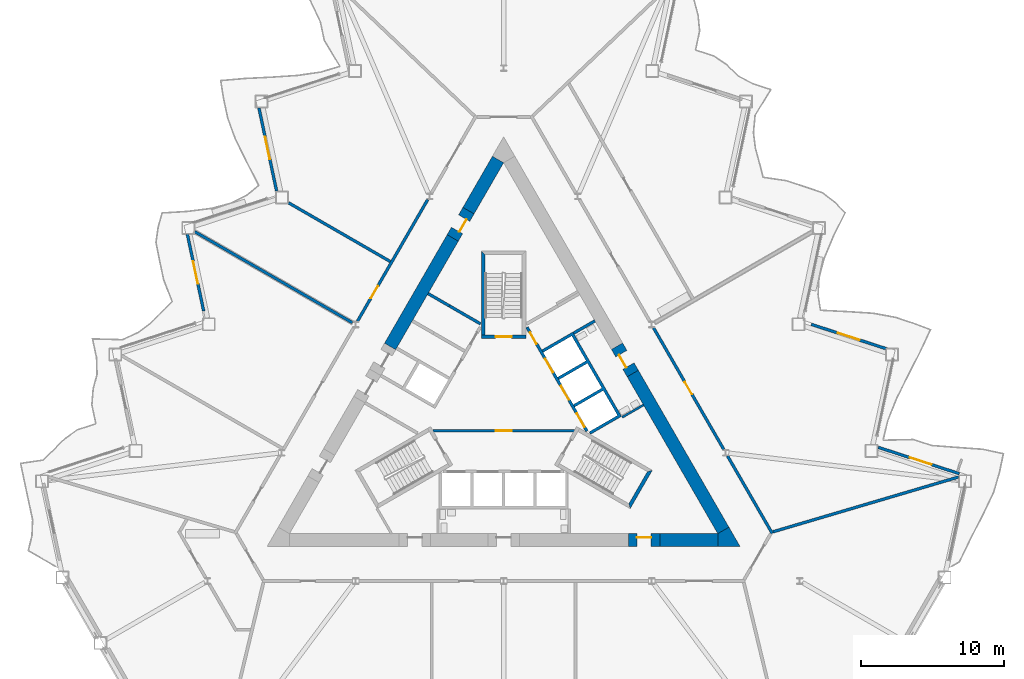
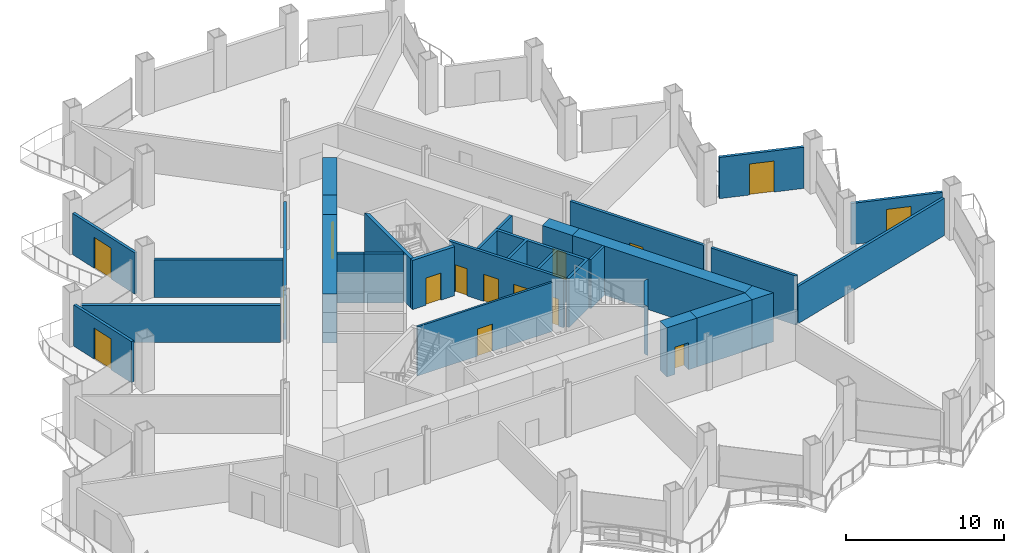
# One storey, part 12 of 21: 28 walls, 15 doors, 15 openings.
"""IFC4 building model written with IfcOpenShell, lengths in metres."""

from ifc_helpers import new_model, si_unit, direction, frame, frame_2d, origin, place, context, subcontext, project, spatial, polyline, rectangle, outline, extrude, material, layer, layer_set, type_object, element, fill, save


model = new_model("IFC4")

# Units and contexts
model_context = context("Model", 3, precision=1e-05, world=origin(), true_north=direction((0.0, 1.0)))
body_context = subcontext(model_context, "Body", "Model", "MODEL_VIEW")
ifc_project = project(units=[si_unit("LENGTHUNIT", "METRE"), si_unit("AREAUNIT", "SQUARE_METRE"), si_unit("VOLUMEUNIT", "CUBIC_METRE"), si_unit("PLANEANGLEUNIT", "RADIAN"), si_unit("MASSUNIT", "GRAM", prefix="KILO")], contexts=[model_context])

# Site, building, storey
site_placement = place(None, origin())
site = spatial("IfcSite", under=ifc_project, at=site_placement, CompositionType="ELEMENT")
building_placement = place(site_placement, origin())
building = spatial("IfcBuilding", under=site, at=building_placement, Name="Cormorant Prow Tower", CompositionType="ELEMENT")
storey_placement = place(building_placement, frame((0.0, 0.0, 116.39990234375)))
storey = spatial("IfcBuildingStorey", under=building, at=storey_placement, Name="L24", CompositionType="ELEMENT", Elevation=116.39990234375)

# Wall, opening, door
ifc_material_1 = material(Name="Gypsum board partition")
ifc_layer_1 = layer(ifc_material_1, 0.14990234375)
ifc_layer_set_1 = layer_set([ifc_layer_1], Name="Gypsum board partition")
wall_type_1 = type_object("IfcWallType", Name="Core partition 150", PredefinedType="PARTITIONING", material=ifc_layer_set_1)
wall_1_placement = place(storey_placement, frame((-4.941162109375, -1.449951171875, 0.0), z_axis=(0.0, 0.0, 1.0), x_axis=(1.0, 0.0, 0.0)))
wall_1 = element("IfcWall", 1, at=wall_1_placement, inside=storey, type_object=wall_type_1, Name="Firefighting lobby partition", PredefinedType="PARTITIONING", context=body_context, shape_type="SweptSolid", body=[
    extrude(rectangle(XDim=9.88232421875, YDim=0.14990234375, at=frame_2d((4.941162109375, 0.0))), origin(), (0.0, 0.0, 1.0), 3.800048828125),
])
opening_1_placement = place(wall_1_placement, frame((4.39111328125, 0.0, 0.0)))
opening_1 = element("IfcOpeningElement", 2, at=opening_1_placement, cuts=wall_1, Name="Opening L24-C11", PredefinedType="OPENING", context=body_context, shape_type="SweptSolid", body=[
    extrude(rectangle(XDim=1.10009765625, YDim=2.10009765625, at=frame_2d((0.550048828125, 1.050048828125))), frame((0.0, 0.0849609375, 0.0), z_axis=(0.0, -1.0, 0.0), x_axis=(1.0, 0.0, 0.0)), (0.0, 0.0, 1.0), 0.169921875),
])
ifc_material_2 = material(Name="Painted steel", Category="steel")
door_type_1 = type_object("IfcDoorType", Name="Firefighting lobby door 1100x2100", OperationType="NOTDEFINED", PredefinedType="DOOR", material=ifc_material_2)
door_1_placement = place(opening_1_placement, origin())
door_1 = element("IfcDoor", 3, at=door_1_placement, inside=storey, type_object=door_type_1, Name="Firefighting lobby door", OperationType="SINGLE_SWING_RIGHT", OverallHeight=2.10009765625, OverallWidth=1.10009765625, PredefinedType="DOOR", context=body_context, shape_type="SweptSolid", body=[
    extrude(rectangle(XDim=1.10009765625, YDim=2.10009765625, at=frame_2d((0.550048828125, 1.050048828125))), frame((0.0, 0.02490234375, 0.0), z_axis=(0.0, -1.0, 0.0), x_axis=(1.0, 0.0, 0.0)), (0.0, 0.0, 1.0), 0.050048828125),
])
fill(opening_1, door_1)

# Walls
wall_2_placement = place(storey_placement, frame((8.268310546875, -0.509033203125, 0.0), z_axis=(0.0, 0.0, 1.0), x_axis=(0.866024871741, 0.500000921525, 0.0)))
element("IfcWall", 4, at=wall_2_placement, inside=storey, type_object=wall_type_1, Name="Service room partition", PredefinedType="PARTITIONING", context=body_context, shape_type="SweptSolid", body=[
    extrude(rectangle(XDim=1.72021484375, YDim=0.14990234375, at=frame_2d((0.860107421875, 0.0))), origin(), (0.0, 0.0, 1.0), 3.800048828125),
])
ifc_material_3 = material(Name="Concrete 8000 psi", Category="concrete")
ifc_layer_2 = layer(ifc_material_3, 0.89990234375)
ifc_layer_set_2 = layer_set([ifc_layer_2], Name="Concrete 8000 psi")
wall_type_2 = type_object("IfcWallType", Name="Core shear wall 900", PredefinedType="SHEAR", material=ifc_layer_set_2)
wall_3_placement = place(storey_placement, frame((10.8955078125, -9.076416015625, 0.0), z_axis=(0.0, 0.0, 1.0), x_axis=(1.0, 0.0, 0.0)))
element("IfcWall", 5, at=wall_3_placement, inside=storey, type_object=wall_type_2, Name="Core wall", PredefinedType="SHEAR", context=body_context, shape_type="SweptSolid", body=[
    extrude(rectangle(XDim=4.045654296875, YDim=0.89990234375, at=frame_2d((2.02294921875, 0.0))), origin(), (0.0, 0.0, 1.0), 3.800048828125),
])
wall_4_placement = place(storey_placement, frame((15.330810546875, -8.4013671875, 0.0), z_axis=(0.0, 0.0, 1.0), x_axis=(-0.49999216708, 0.866029926076, 0.0)))
element("IfcWall", 6, at=wall_4_placement, inside=storey, type_object=wall_type_2, Name="Core wall", PredefinedType="SHEAR", context=body_context, shape_type="SweptSolid", body=[
    extrude(rectangle(XDim=12.641357421875, YDim=0.89990234375, at=frame_2d((6.32080078125, 0.0))), origin(), (0.0, 0.0, 1.0), 3.800048828125),
])
wall_5_placement = place(storey_placement, frame((-3.550048828125, 12.00390625, 0.0), z_axis=(0.0, 0.0, 1.0), x_axis=(-0.499993245289, -0.866029303583, 0.0)))
element("IfcWall", 7, at=wall_5_placement, inside=storey, type_object=wall_type_2, Name="Core wall", PredefinedType="SHEAR", context=body_context, shape_type="SweptSolid", body=[
    extrude(rectangle(XDim=8.74072265625, YDim=0.89990234375, at=frame_2d((4.370361328125, 0.0))), origin(), (0.0, 0.0, 1.0), 3.800048828125),
])
wall_6_placement = place(storey_placement, frame((-0.3896484375, 17.4775390625, 0.0), z_axis=(0.0, 0.0, 1.0), x_axis=(-0.50001992892, -0.866013897511, 0.0)))
element("IfcWall", 8, at=wall_6_placement, inside=storey, type_object=wall_type_2, Name="Core wall", PredefinedType="SHEAR", context=body_context, shape_type="SweptSolid", body=[
    extrude(rectangle(XDim=4.120361328125, YDim=0.89990234375, at=frame_2d((2.06005859375, 0.0))), origin(), (0.0, 0.0, 1.0), 3.800048828125),
])
wall_7_placement = place(storey_placement, origin())
element("IfcWall", 9, at=wall_7_placement, inside=storey, type_object=wall_type_2, Name="Core wall corner", PredefinedType="SHEAR", context=body_context, shape_type="SweptSolid", body=[
    extrude(outline(polyline([(14.941162109375, -8.626220703125), (15.720703125, -8.17626953125), (16.5, -9.5263671875), (14.941162109375, -9.5263671875), (14.941162109375, -8.626220703125)])), origin(), (0.0, 0.0, 1.0), 3.800048828125),
])

# Wall, opening, door
wall_8_placement = place(storey_placement, frame((8.695556640625, -9.076416015625, 0.0), z_axis=(0.0, 0.0, 1.0), x_axis=(1.0, 0.0, 0.0)))
wall_8 = element("IfcWall", 10, at=wall_8_placement, inside=storey, type_object=wall_type_2, Name="Core wall door panel", PredefinedType="SHEAR", context=body_context, shape_type="SweptSolid", body=[
    extrude(rectangle(XDim=2.199951171875, YDim=0.89990234375, at=frame_2d((1.10009765625, 0.0))), origin(), (0.0, 0.0, 1.0), 3.800048828125),
])
opening_2_placement = place(wall_8_placement, frame((0.60009765625, 0.0, 0.0)))
opening_2 = element("IfcOpeningElement", 11, at=opening_2_placement, cuts=wall_8, Name="Opening L24-C16", PredefinedType="OPENING", context=body_context, shape_type="SweptSolid", body=[
    extrude(rectangle(XDim=1.0, YDim=2.10009765625, at=frame_2d((0.5, 1.050048828125))), frame((0.0, 0.4599609375, 0.0), z_axis=(0.0, -1.0, 0.0), x_axis=(1.0, 0.0, 0.0)), (0.0, 0.0, 1.0), 0.919921875),
])
ifc_material_4 = material(Name="Painted steel", Category="steel")
door_type_2 = type_object("IfcDoorType", Name="Service door 1000x2100", OperationType="NOTDEFINED", PredefinedType="DOOR", material=ifc_material_4)
door_2_placement = place(opening_2_placement, origin())
door_2 = element("IfcDoor", 12, at=door_2_placement, inside=storey, type_object=door_type_2, Name="Core door, Telecom room", OperationType="SINGLE_SWING_LEFT", OverallHeight=2.10009765625, OverallWidth=1.0, PredefinedType="DOOR", context=body_context, shape_type="SweptSolid", body=[
    extrude(rectangle(XDim=1.0, YDim=2.10009765625, at=frame_2d((0.5, 1.050048828125))), frame((0.0, 0.205078125, 0.0), z_axis=(0.0, -1.0, 0.0), x_axis=(1.0, 0.0, 0.0)), (0.0, 0.0, 1.0), 0.050048828125),
])
fill(opening_2, door_2)

wall_9_placement = place(storey_placement, frame((9.01025390625, 2.54638671875, 0.0), z_axis=(0.0, 0.0, 1.0), x_axis=(-0.499994660107, 0.866028486751, 0.0)))
wall_9 = element("IfcWall", 13, at=wall_9_placement, inside=storey, type_object=wall_type_2, Name="Core wall door panel", PredefinedType="SHEAR", context=body_context, shape_type="SweptSolid", body=[
    extrude(rectangle(XDim=2.19970703125, YDim=0.89990234375, at=frame_2d((1.099853515625, 0.0))), origin(), (0.0, 0.0, 1.0), 3.800048828125),
])
opening_3_placement = place(wall_9_placement, frame((0.60009765625, 0.0, 0.0)))
opening_3 = element("IfcOpeningElement", 14, at=opening_3_placement, cuts=wall_9, Name="Opening L24-C18", PredefinedType="OPENING", context=body_context, shape_type="SweptSolid", body=[
    extrude(rectangle(XDim=1.0, YDim=2.10009765625, at=frame_2d((0.5, 1.050048828125))), frame((0.0, 0.4599609375, 0.0), z_axis=(0.0, -1.0, 0.0), x_axis=(1.0, 0.0, 0.0)), (0.0, 0.0, 1.0), 0.919921875),
])
door_3_placement = place(opening_3_placement, origin())
door_3 = element("IfcDoor", 15, at=door_3_placement, inside=storey, type_object=door_type_2, Name="Core door, Toilets (men) L24", OperationType="SINGLE_SWING_RIGHT", OverallHeight=2.10009765625, OverallWidth=1.0, PredefinedType="DOOR", context=body_context, shape_type="SweptSolid", body=[
    extrude(rectangle(XDim=1.0, YDim=2.10009765625, at=frame_2d((0.5, 1.050048828125))), frame((0.0, 0.205078125, 0.0), z_axis=(0.0, -1.0, 0.0), x_axis=(1.0, 0.0, 0.0)), (0.0, 0.0, 1.0), 0.050048828125),
])
fill(opening_3, door_3)

wall_10_placement = place(storey_placement, frame((-2.449951171875, 13.9091796875, 0.0), z_axis=(0.0, 0.0, 1.0), x_axis=(-0.50002983664, -0.866008176907, 0.0)))
wall_10 = element("IfcWall", 16, at=wall_10_placement, inside=storey, type_object=wall_type_2, Name="Core wall door panel", PredefinedType="SHEAR", context=body_context, shape_type="SweptSolid", body=[
    extrude(rectangle(XDim=2.199951171875, YDim=0.89990234375, at=frame_2d((1.10009765625, 0.0))), origin(), (0.0, 0.0, 1.0), 3.800048828125),
])
opening_4_placement = place(wall_10_placement, frame((0.60009765625, 0.0, 0.0)))
opening_4 = element("IfcOpeningElement", 17, at=opening_4_placement, cuts=wall_10, Name="Opening L24-C20", PredefinedType="OPENING", context=body_context, shape_type="SweptSolid", body=[
    extrude(rectangle(XDim=1.0, YDim=2.10009765625, at=frame_2d((0.5, 1.050048828125))), frame((0.0, 0.4599609375, 0.0), z_axis=(0.0, -1.0, 0.0), x_axis=(1.0, 0.0, 0.0)), (0.0, 0.0, 1.0), 0.919921875),
])
door_4_placement = place(opening_4_placement, origin())
door_4 = element("IfcDoor", 18, at=door_4_placement, inside=storey, type_object=door_type_2, Name="Core door, Telecom room", OperationType="SINGLE_SWING_LEFT", OverallHeight=2.10009765625, OverallWidth=1.0, PredefinedType="DOOR", context=body_context, shape_type="SweptSolid", body=[
    extrude(rectangle(XDim=1.0, YDim=2.10009765625, at=frame_2d((0.5, 1.050048828125))), frame((0.0, 0.205078125, 0.0), z_axis=(0.0, -1.0, 0.0), x_axis=(1.0, 0.0, 0.0)), (0.0, 0.0, 1.0), 0.050048828125),
])
fill(opening_4, door_4)

ifc_material_5 = material(Name="Gypsum board corridor wall")
ifc_layer_3 = layer(ifc_material_5, 0.199951171875)
ifc_layer_set_3 = layer_set([ifc_layer_3], Name="Gypsum board corridor wall")
wall_type_3 = type_object("IfcWallType", Name="Corridor wall 200", PredefinedType="PARTITIONING", material=ifc_layer_set_3)
wall_11_placement = place(storey_placement, frame((10.459716796875, 5.735595703125, 0.0), z_axis=(0.0, 0.0, 1.0), x_axis=(0.500004141693, -0.866023012564, 0.0)))
wall_11 = element("IfcWall", 19, at=wall_11_placement, inside=storey, type_object=wall_type_3, Name="Corridor wall", PredefinedType="PARTITIONING", context=body_context, shape_type="SweptSolid", body=[
    extrude(rectangle(XDim=9.80322265625, YDim=0.199951171875, at=frame_2d((4.901611328125, 0.0))), origin(), (0.0, 0.0, 1.0), 3.800048828125),
])
opening_5_placement = place(wall_11_placement, frame((4.3515625, 0.0, 0.0)))
opening_5 = element("IfcOpeningElement", 20, at=opening_5_placement, cuts=wall_11, Name="Opening L24-F05", PredefinedType="OPENING", context=body_context, shape_type="SweptSolid", body=[
    extrude(rectangle(XDim=1.0, YDim=2.10009765625, at=frame_2d((0.5, 1.050048828125))), frame((0.0, 0.10986328125, 0.0), z_axis=(0.0, -1.0, 0.0), x_axis=(1.0, 0.0, 0.0)), (0.0, 0.0, 1.0), 0.219970703125),
])
ifc_material_6 = material(Name="Timber door leaf", Category="wood")
door_type_3 = type_object("IfcDoorType", Name="Office door 1000x2100", OperationType="NOTDEFINED", PredefinedType="DOOR", material=ifc_material_6)
door_5_placement = place(opening_5_placement, origin())
door_5 = element("IfcDoor", 21, at=door_5_placement, inside=storey, type_object=door_type_3, Name="Tenant suite door", OperationType="SINGLE_SWING_RIGHT", OverallHeight=2.10009765625, OverallWidth=1.0, PredefinedType="DOOR", context=body_context, shape_type="SweptSolid", body=[
    extrude(rectangle(XDim=1.0, YDim=2.10009765625, at=frame_2d((0.5, 1.050048828125))), frame((0.0, 0.02490234375, 0.0), z_axis=(0.0, -1.0, 0.0), x_axis=(1.0, 0.0, 0.0)), (0.0, 0.0, 1.0), 0.050048828125),
])
fill(opening_5, door_5)

wall_12_placement = place(storey_placement, frame((-10.197265625, 6.1904296875, 0.0), z_axis=(0.0, 0.0, 1.0), x_axis=(0.500012035596, 0.866018454918, 0.0)))
wall_12 = element("IfcWall", 22, at=wall_12_placement, inside=storey, type_object=wall_type_3, Name="Corridor wall", PredefinedType="PARTITIONING", context=body_context, shape_type="SweptSolid", body=[
    extrude(rectangle(XDim=9.803466796875, YDim=0.199951171875, at=frame_2d((4.90185546875, 0.0))), origin(), (0.0, 0.0, 1.0), 3.800048828125),
])
opening_6_placement = place(wall_12_placement, frame((1.8505859375, 0.0, 0.0)))
opening_6 = element("IfcOpeningElement", 23, at=opening_6_placement, cuts=wall_12, Name="Opening L24-F10", PredefinedType="OPENING", context=body_context, shape_type="SweptSolid", body=[
    extrude(rectangle(XDim=1.0, YDim=2.10009765625, at=frame_2d((0.5, 1.050048828125))), frame((0.0, 0.10986328125, 0.0), z_axis=(0.0, -1.0, 0.0), x_axis=(1.0, 0.0, 0.0)), (0.0, 0.0, 1.0), 0.219970703125),
])
door_6_placement = place(opening_6_placement, origin())
door_6 = element("IfcDoor", 24, at=door_6_placement, inside=storey, type_object=door_type_3, Name="Meeting room door", OperationType="SINGLE_SWING_LEFT", OverallHeight=2.10009765625, OverallWidth=1.0, PredefinedType="DOOR", context=body_context, shape_type="SweptSolid", body=[
    extrude(rectangle(XDim=1.0, YDim=2.10009765625, at=frame_2d((0.5, 1.050048828125))), frame((0.0, 0.02490234375, 0.0), z_axis=(0.0, -1.0, 0.0), x_axis=(1.0, 0.0, 0.0)), (0.0, 0.0, 1.0), 0.050048828125),
])
fill(opening_6, door_6)

# Walls
wall_13_placement = place(storey_placement, frame((15.6240234375, -3.208984375, 0.0), z_axis=(0.0, 0.0, 1.0), x_axis=(0.499997920671, -0.866026604282, 0.0)))
element("IfcWall", 25, at=wall_13_placement, inside=storey, type_object=wall_type_3, Name="Corridor wall", PredefinedType="PARTITIONING", context=body_context, shape_type="SweptSolid", body=[
    extrude(rectangle(XDim=6.23974609375, YDim=0.199951171875, at=frame_2d((3.119873046875, 0.0))), origin(), (0.0, 0.0, 1.0), 3.800048828125),
])
ifc_material_7 = material(Name="Gypsum board demising wall")
ifc_layer_4 = layer(ifc_material_7, 0.199951171875)
ifc_layer_set_4 = layer_set([ifc_layer_4], Name="Gypsum board demising wall")
wall_type_4 = type_object("IfcWallType", Name="Demising wall 200", PredefinedType="PARTITIONING", material=ifc_layer_set_4)
wall_14_placement = place(storey_placement, frame((18.789794921875, -8.497802734375, 0.0), z_axis=(0.0, 0.0, 1.0), x_axis=(0.959053889024, 0.283223653581, 0.0)))
element("IfcWall", 26, at=wall_14_placement, inside=storey, type_object=wall_type_4, Name="Demising wall", PredefinedType="PARTITIONING", context=body_context, shape_type="SweptSolid", body=[
    extrude(rectangle(XDim=13.4990234375, YDim=0.199951171875, at=frame_2d((6.74951171875, 0.0))), origin(), (0.0, 0.0, 1.0), 2.885498046875),
])
wall_15_placement = place(storey_placement, frame((-21.536376953125, 12.43408203125, 0.0), z_axis=(0.0, 0.0, 1.0), x_axis=(0.86602461759, -0.500001361726, 0.0)))
element("IfcWall", 27, at=wall_15_placement, inside=storey, type_object=wall_type_4, Name="Demising wall", PredefinedType="PARTITIONING", context=body_context, shape_type="SweptSolid", body=[
    extrude(rectangle(XDim=12.67919921875, YDim=0.199951171875, at=frame_2d((6.339599609375, 0.0))), origin(), (0.0, 0.0, 1.0), 2.885498046875),
])
wall_16_placement = place(storey_placement, frame((-15.009521484375, 14.460205078125, 0.0), z_axis=(0.0, 0.0, 1.0), x_axis=(0.86602003489, -0.500009299083, 0.0)))
element("IfcWall", 28, at=wall_16_placement, inside=storey, type_object=wall_type_4, Name="Demising wall", PredefinedType="PARTITIONING", context=body_context, shape_type="SweptSolid", body=[
    extrude(rectangle(XDim=8.202392578125, YDim=0.199951171875, at=frame_2d((4.10107421875, 0.0))), origin(), (0.0, 0.0, 1.0), 2.885498046875),
])

# Wall, openings, doors
ifc_material_8 = material(Name="Concrete 5000 psi", Category="concrete")
ifc_layer_5 = layer(ifc_material_8, 0.199951171875)
ifc_layer_set_5 = layer_set([ifc_layer_5], Name="Concrete 5000 psi")
wall_type_5 = type_object("IfcWallType", Name="Lift lobby wall 200", PredefinedType="SOLIDWALL", material=ifc_layer_set_5)
wall_17_placement = place(storey_placement, frame((5.817138671875, -1.4755859375, 0.0), z_axis=(0.0, 0.0, 1.0), x_axis=(-0.500002616675, 0.866023893041, 0.0)))
wall_17 = element("IfcWall", 29, at=wall_17_placement, inside=storey, type_object=wall_type_5, Name="Lift lobby wall, ENE block", PredefinedType="SOLIDWALL", context=body_context, shape_type="SweptSolid", body=[
    extrude(rectangle(XDim=8.373046875, YDim=0.199951171875, at=frame_2d((4.1865234375, 0.0))), origin(), (0.0, 0.0, 1.0), 3.800048828125),
])
opening_7_placement = place(wall_17_placement, frame((0.336669921875, 0.0, 0.0)))
opening_7 = element("IfcOpeningElement", 30, at=opening_7_placement, cuts=wall_17, Name="Opening L24-C05", PredefinedType="OPENING", context=body_context, shape_type="SweptSolid", body=[
    extrude(rectangle(XDim=1.10009765625, YDim=2.10009765625, at=frame_2d((0.550048828125, 1.050048828125))), frame((0.0, 0.10986328125, 0.0), z_axis=(0.0, -1.0, 0.0), x_axis=(1.0, 0.0, 0.0)), (0.0, 0.0, 1.0), 0.219970703125),
])
opening_8_placement = place(wall_17_placement, frame((2.53662109375, 0.0, 0.0)))
opening_8 = element("IfcOpeningElement", 31, at=opening_8_placement, cuts=wall_17, Name="Opening L24-C06", PredefinedType="OPENING", context=body_context, shape_type="SweptSolid", body=[
    extrude(rectangle(XDim=1.10009765625, YDim=2.10009765625, at=frame_2d((0.550048828125, 1.050048828125))), frame((0.0, 0.10986328125, 0.0), z_axis=(0.0, -1.0, 0.0), x_axis=(1.0, 0.0, 0.0)), (0.0, 0.0, 1.0), 0.219970703125),
])
opening_9_placement = place(wall_17_placement, frame((4.736572265625, 0.0, 0.0)))
opening_9 = element("IfcOpeningElement", 32, at=opening_9_placement, cuts=wall_17, Name="Opening L24-C07", PredefinedType="OPENING", context=body_context, shape_type="SweptSolid", body=[
    extrude(rectangle(XDim=1.10009765625, YDim=2.10009765625, at=frame_2d((0.550048828125, 1.050048828125))), frame((0.0, 0.10986328125, 0.0), z_axis=(0.0, -1.0, 0.0), x_axis=(1.0, 0.0, 0.0)), (0.0, 0.0, 1.0), 0.219970703125),
])
opening_10_placement = place(wall_17_placement, frame((7.03662109375, 0.0, 0.0)))
opening_10 = element("IfcOpeningElement", 33, at=opening_10_placement, cuts=wall_17, Name="Opening L24-C08", PredefinedType="OPENING", context=body_context, shape_type="SweptSolid", body=[
    extrude(rectangle(XDim=0.89990234375, YDim=2.10009765625, at=frame_2d((0.449951171875, 1.050048828125))), frame((0.0, 0.10986328125, 0.0), z_axis=(0.0, -1.0, 0.0), x_axis=(1.0, 0.0, 0.0)), (0.0, 0.0, 1.0), 0.219970703125),
])
ifc_material_9 = material(Name="Painted steel", Category="steel")
door_type_4 = type_object("IfcDoorType", Name="Lift landing door 1100x2100", OperationType="SLIDING_TO_LEFT", PredefinedType="DOOR", material=ifc_material_9)
door_7_placement = place(opening_7_placement, origin())
door_7 = element("IfcDoor", 34, at=door_7_placement, inside=storey, type_object=door_type_4, Name="Landing door LR2", OperationType="SLIDING_TO_LEFT", OverallHeight=2.10009765625, OverallWidth=1.10009765625, PredefinedType="DOOR", context=body_context, shape_type="SweptSolid", body=[
    extrude(rectangle(XDim=1.10009765625, YDim=2.10009765625, at=frame_2d((0.550048828125, 1.050048828125))), frame((0.0, 0.02490234375, 0.0), z_axis=(0.0, -1.0, 0.0), x_axis=(1.0, 0.0, 0.0)), (0.0, 0.0, 1.0), 0.050048828125),
])
fill(opening_7, door_7)
door_8_placement = place(opening_8_placement, origin())
door_8 = element("IfcDoor", 35, at=door_8_placement, inside=storey, type_object=door_type_4, Name="Landing door LR3", OperationType="SLIDING_TO_LEFT", OverallHeight=2.10009765625, OverallWidth=1.10009765625, PredefinedType="DOOR", context=body_context, shape_type="SweptSolid", body=[
    extrude(rectangle(XDim=1.10009765625, YDim=2.10009765625, at=frame_2d((0.550048828125, 1.050048828125))), frame((0.0, 0.02490234375, 0.0), z_axis=(0.0, -1.0, 0.0), x_axis=(1.0, 0.0, 0.0)), (0.0, 0.0, 1.0), 0.050048828125),
])
fill(opening_8, door_8)
door_9_placement = place(opening_9_placement, origin())
door_9 = element("IfcDoor", 36, at=door_9_placement, inside=storey, type_object=door_type_4, Name="Landing door LR4", OperationType="SLIDING_TO_LEFT", OverallHeight=2.10009765625, OverallWidth=1.10009765625, PredefinedType="DOOR", context=body_context, shape_type="SweptSolid", body=[
    extrude(rectangle(XDim=1.10009765625, YDim=2.10009765625, at=frame_2d((0.550048828125, 1.050048828125))), frame((0.0, 0.02490234375, 0.0), z_axis=(0.0, -1.0, 0.0), x_axis=(1.0, 0.0, 0.0)), (0.0, 0.0, 1.0), 0.050048828125),
])
fill(opening_9, door_9)
ifc_material_10 = material(Name="Painted steel", Category="steel")
door_type_5 = type_object("IfcDoorType", Name="Service door 900x2100", OperationType="NOTDEFINED", PredefinedType="DOOR", material=ifc_material_10)
door_10_placement = place(opening_10_placement, origin())
door_10 = element("IfcDoor", 37, at=door_10_placement, inside=storey, type_object=door_type_5, Name="Service door, Refuse store", OperationType="SINGLE_SWING_RIGHT", OverallHeight=2.10009765625, OverallWidth=0.89990234375, PredefinedType="DOOR", context=body_context, shape_type="SweptSolid", body=[
    extrude(rectangle(XDim=0.89990234375, YDim=2.10009765625, at=frame_2d((0.449951171875, 1.050048828125))), frame((0.0, 0.02490234375, 0.0), z_axis=(0.0, -1.0, 0.0), x_axis=(1.0, 0.0, 0.0)), (0.0, 0.0, 1.0), 0.050048828125),
])
fill(opening_10, door_10)

# Walls
ifc_material_11 = material(Name="Concrete 8000 psi", Category="concrete")
ifc_layer_6 = layer(ifc_material_11, 0.199951171875)
ifc_layer_set_6 = layer_set([ifc_layer_6], Name="Concrete 8000 psi")
wall_type_6 = type_object("IfcWallType", Name="Lift shaft wall 200", PredefinedType="SHEAR", material=ifc_layer_set_6)
wall_18_placement = place(storey_placement, origin())
element("IfcWall", 38, at=wall_18_placement, inside=storey, type_object=wall_type_6, Name="Lift shaft walls, ENE block", PredefinedType="SHEAR", context=body_context, shape_type="SweptSolid", body=[
    extrude(outline(polyline([(2.660400390625, 4.19189453125), (4.830810546875, 5.44482421875), (8.230712890625, -0.444091796875), (6.060546875, -1.697021484375), (5.96044921875, -1.52392578125), (7.952392578125, -0.373779296875), (6.952392578125, 1.358154296875), (4.96044921875, 0.2080078125), (4.860595703125, 0.38134765625), (6.852294921875, 1.53125), (5.852294921875, 3.263427734375), (3.860595703125, 2.11328125), (3.760498046875, 2.28662109375), (5.75244140625, 3.4365234375), (4.75244140625, 5.168701171875), (2.760498046875, 4.018798828125), (2.660400390625, 4.19189453125)])), origin(), (0.0, 0.0, 1.0), 3.800048828125),
])
wall_19_placement = place(storey_placement, frame((4.880859375, 5.3583984375, 0.0), z_axis=(0.0, 0.0, 1.0), x_axis=(0.866024871741, 0.500000921525, 0.0)))
element("IfcWall", 39, at=wall_19_placement, inside=storey, type_object=wall_type_6, Name="Store side wall", PredefinedType="SHEAR", context=body_context, shape_type="SweptSolid", body=[
    extrude(rectangle(XDim=1.72021484375, YDim=0.199951171875, at=frame_2d((0.860107421875, 0.0))), origin(), (0.0, 0.0, 1.0), 3.800048828125),
])
wall_20_placement = place(storey_placement, origin())
element("IfcWall", 40, at=wall_20_placement, inside=storey, type_object=wall_type_6, Name="Lift shaft walls, WNW block", PredefinedType="SHEAR", context=body_context, shape_type="SweptSolid", body=[
    extrude(outline(polyline([(-3.730712890625, 7.35009765625), (-1.560546875, 6.09716796875), (-1.660400390625, 5.923828125), (-3.830810546875, 7.177001953125), (-3.730712890625, 7.35009765625)])), origin(), (0.0, 0.0, 1.0), 3.800048828125),
])
wall_21_placement = place(storey_placement, frame((-3.78076171875, 7.263427734375, 0.0), z_axis=(0.0, 0.0, 1.0), x_axis=(-0.865963414263, 0.500107353632, 0.0)))
element("IfcWall", 41, at=wall_21_placement, inside=storey, type_object=wall_type_6, Name="Store side wall", PredefinedType="SHEAR", context=body_context, shape_type="SweptSolid", body=[
    extrude(rectangle(XDim=1.72021484375, YDim=0.199951171875, at=frame_2d((0.860107421875, 0.0))), origin(), (0.0, 0.0, 1.0), 3.800048828125),
])
ifc_material_12 = material(Name="Concrete 8000 psi", Category="concrete")
ifc_layer_7 = layer(ifc_material_12, 0.25)
ifc_layer_set_7 = layer_set([ifc_layer_7], Name="Concrete 8000 psi")
wall_type_7 = type_object("IfcWallType", Name="Stair wall 250", PredefinedType="SHEAR", material=ifc_layer_set_7)
wall_22_placement = place(storey_placement, origin())
element("IfcWall", 42, at=wall_22_placement, inside=storey, type_object=wall_type_7, Name="Stair ST2 enclosure wall (end)", PredefinedType="SHEAR", context=body_context, shape_type="SweptSolid", body=[
    extrude(outline(polyline([(8.82958984375, -6.880615234375), (10.37353515625, -4.206298828125), (10.031982421875, -4.2978515625), (8.738037109375, -6.5390625), (8.82958984375, -6.880615234375)])), origin(), (0.0, 0.0, 1.0), 3.800048828125),
])
wall_23_placement = place(storey_placement, origin())
element("IfcWall", 43, at=wall_23_placement, inside=storey, type_object=wall_type_7, Name="Stair ST3 enclosure wall (flank)", PredefinedType="SHEAR", context=body_context, shape_type="SweptSolid", body=[
    extrude(outline(polyline([(-1.2939453125, 10.8369140625), (-1.5439453125, 11.0869140625), (-1.5439453125, 5.23681640625), (-1.2939453125, 5.23681640625), (-1.2939453125, 10.8369140625)])), origin(), (0.0, 0.0, 1.0), 3.800048828125),
])

# Wall, opening, door
wall_24_placement = place(storey_placement, frame((1.5439453125, 5.11181640625, 0.0), z_axis=(0.0, 0.0, 1.0), x_axis=(-1.0, 0.0, 0.0)))
wall_24 = element("IfcWall", 44, at=wall_24_placement, inside=storey, type_object=wall_type_7, Name="Stair ST3 door wall", PredefinedType="SHEAR", context=body_context, shape_type="SweptSolid", body=[
    extrude(rectangle(XDim=3.087890625, YDim=0.25, at=frame_2d((1.5439453125, 0.0))), origin(), (0.0, 0.0, 1.0), 3.800048828125),
])
opening_11_placement = place(wall_24_placement, frame((0.993896484375, 0.0, 0.0)))
opening_11 = element("IfcOpeningElement", 45, at=opening_11_placement, cuts=wall_24, Name="Opening L24-C14", PredefinedType="OPENING", context=body_context, shape_type="SweptSolid", body=[
    extrude(rectangle(XDim=1.10009765625, YDim=2.10009765625, at=frame_2d((0.550048828125, 1.050048828125))), frame((0.0, 0.135009765625, 0.0), z_axis=(0.0, -1.0, 0.0), x_axis=(1.0, 0.0, 0.0)), (0.0, 0.0, 1.0), 0.27001953125),
])
ifc_material_13 = material(Name="Painted steel", Category="steel")
door_type_6 = type_object("IfcDoorType", Name="Stair door 1100x2100", OperationType="NOTDEFINED", PredefinedType="DOOR", material=ifc_material_13)
door_11_placement = place(opening_11_placement, origin())
door_11 = element("IfcDoor", 46, at=door_11_placement, inside=storey, type_object=door_type_6, Name="Stair ST3 door", OperationType="SINGLE_SWING_LEFT", OverallHeight=2.10009765625, OverallWidth=1.10009765625, PredefinedType="DOOR", context=body_context, shape_type="SweptSolid", body=[
    extrude(rectangle(XDim=1.10009765625, YDim=2.10009765625, at=frame_2d((0.550048828125, 1.050048828125))), frame((0.0, 0.02490234375, 0.0), z_axis=(0.0, -1.0, 0.0), x_axis=(1.0, 0.0, 0.0)), (0.0, 0.0, 1.0), 0.050048828125),
])
fill(opening_11, door_11)

ifc_material_14 = material(Name="Terracotta", Category="masonry")
ifc_layer_8 = layer(ifc_material_14, 0.199951171875)
ifc_layer_set_8 = layer_set([ifc_layer_8], Name="Terracotta")
wall_type_8 = type_object("IfcWallType", Name="Terracotta jamb wall 200", PredefinedType="SOLIDWALL", material=ifc_layer_set_8)
wall_25_placement = place(storey_placement, frame((31.79150390625, -4.441162109375, 0.0), z_axis=(0.0, 0.0, 1.0), x_axis=(-0.951057028782, 0.309015417099, 0.0)))
wall_25 = element("IfcWall", 47, at=wall_25_placement, inside=storey, type_object=wall_type_8, Name="Terracotta jamb wall ENE01", PredefinedType="SOLIDWALL", context=body_context, shape_type="SweptSolid", body=[
    extrude(rectangle(XDim=5.93798828125, YDim=0.199951171875, at=frame_2d((2.968994140625, 0.0))), origin(), (0.0, 0.0, 1.0), 3.18896484375),
])
opening_12_placement = place(wall_25_placement, frame((2.041748046875, 0.0, 0.0)))
opening_12 = element("IfcOpeningElement", 48, at=opening_12_placement, cuts=wall_25, Name="Opening ED24.06", PredefinedType="OPENING", context=body_context, shape_type="SweptSolid", body=[
    extrude(rectangle(XDim=1.60009765625, YDim=2.39990234375, at=frame_2d((0.800048828125, 1.199951171875))), frame((0.0, 0.10986328125, 0.0), z_axis=(0.0, -1.0, 0.0), x_axis=(1.0, 0.0, 0.0)), (0.0, 0.0, 1.0), 0.219970703125),
])
ifc_material_15 = material(Name="Aluminium 6063-T6", Category="aluminium")
door_type_7 = type_object("IfcDoorType", Name="Balcony door 1600x2400", OperationType="DOUBLE_DOOR_SINGLE_SWING", PredefinedType="DOOR", material=ifc_material_15)
door_12_placement = place(opening_12_placement, origin())
door_12 = element("IfcDoor", 49, at=door_12_placement, inside=storey, type_object=door_type_7, Name="Balcony door ENE01 ED24.06", OperationType="DOUBLE_DOOR_SINGLE_SWING", OverallHeight=2.39990234375, OverallWidth=1.60009765625, PredefinedType="DOOR", context=body_context, shape_type="SweptSolid", body=[
    extrude(rectangle(XDim=1.60009765625, YDim=2.39990234375, at=frame_2d((0.800048828125, 1.199951171875))), frame((0.0, 0.02490234375, 0.0), z_axis=(0.0, -1.0, 0.0), x_axis=(1.0, 0.0, 0.0)), (0.0, 0.0, 1.0), 0.050048828125),
])
fill(opening_12, door_12)

wall_26_placement = place(storey_placement, frame((26.677001953125, 4.28173828125, 0.0), z_axis=(0.0, 0.0, 1.0), x_axis=(-0.951052727247, 0.309028655624, 0.0)))
wall_26 = element("IfcWall", 50, at=wall_26_placement, inside=storey, type_object=wall_type_8, Name="Terracotta jamb wall ENE03", PredefinedType="SOLIDWALL", context=body_context, shape_type="SweptSolid", body=[
    extrude(rectangle(XDim=5.48046875, YDim=0.199951171875, at=frame_2d((2.740234375, 0.0))), origin(), (0.0, 0.0, 1.0), 3.18896484375),
])
opening_13_placement = place(wall_26_placement, frame((1.940185546875, 0.0, 0.0)))
opening_13 = element("IfcOpeningElement", 51, at=opening_13_placement, cuts=wall_26, Name="Opening ED24.07", PredefinedType="OPENING", context=body_context, shape_type="SweptSolid", body=[
    extrude(rectangle(XDim=1.60009765625, YDim=2.39990234375, at=frame_2d((0.800048828125, 1.199951171875))), frame((0.0, 0.10986328125, 0.0), z_axis=(0.0, -1.0, 0.0), x_axis=(1.0, 0.0, 0.0)), (0.0, 0.0, 1.0), 0.219970703125),
])
door_13_placement = place(opening_13_placement, origin())
door_13 = element("IfcDoor", 52, at=door_13_placement, inside=storey, type_object=door_type_7, Name="Balcony door ENE03 ED24.07", OperationType="DOUBLE_DOOR_SINGLE_SWING", OverallHeight=2.39990234375, OverallWidth=1.60009765625, PredefinedType="DOOR", context=body_context, shape_type="SweptSolid", body=[
    extrude(rectangle(XDim=1.60009765625, YDim=2.39990234375, at=frame_2d((0.800048828125, 1.199951171875))), frame((0.0, 0.02490234375, 0.0), z_axis=(0.0, -1.0, 0.0), x_axis=(1.0, 0.0, 0.0)), (0.0, 0.0, 1.0), 0.050048828125),
])
fill(opening_13, door_13)

wall_27_placement = place(storey_placement, frame((-17.06884765625, 21.06640625, 0.0), z_axis=(0.0, 0.0, 1.0), x_axis=(0.207917562075, -0.978146352741, 0.0)))
wall_27 = element("IfcWall", 53, at=wall_27_placement, inside=storey, type_object=wall_type_8, Name="Terracotta jamb wall WNW03", PredefinedType="SOLIDWALL", context=body_context, shape_type="SweptSolid", body=[
    extrude(rectangle(XDim=5.90869140625, YDim=0.199951171875, at=frame_2d((2.954345703125, 0.0))), origin(), (0.0, 0.0, 1.0), 3.18896484375),
])
opening_14_placement = place(wall_27_placement, frame((2.046875, 0.0, 0.0)))
opening_14 = element("IfcOpeningElement", 54, at=opening_14_placement, cuts=wall_27, Name="Opening ED24.12", PredefinedType="OPENING", context=body_context, shape_type="SweptSolid", body=[
    extrude(rectangle(XDim=1.60009765625, YDim=2.39990234375, at=frame_2d((0.800048828125, 1.199951171875))), frame((0.0, 0.10986328125, 0.0), z_axis=(0.0, -1.0, 0.0), x_axis=(1.0, 0.0, 0.0)), (0.0, 0.0, 1.0), 0.219970703125),
])
door_14_placement = place(opening_14_placement, origin())
door_14 = element("IfcDoor", 55, at=door_14_placement, inside=storey, type_object=door_type_7, Name="Balcony door WNW03 ED24.12", OperationType="DOUBLE_DOOR_SINGLE_SWING", OverallHeight=2.39990234375, OverallWidth=1.60009765625, PredefinedType="DOOR", context=body_context, shape_type="SweptSolid", body=[
    extrude(rectangle(XDim=1.60009765625, YDim=2.39990234375, at=frame_2d((0.800048828125, 1.199951171875))), frame((0.0, 0.02490234375, 0.0), z_axis=(0.0, -1.0, 0.0), x_axis=(1.0, 0.0, 0.0)), (0.0, 0.0, 1.0), 0.050048828125),
])
fill(opening_14, door_14)

wall_28_placement = place(storey_placement, frame((-22.064697265625, 12.2705078125, 0.0), z_axis=(0.0, 0.0, 1.0), x_axis=(0.207907239961, -0.978148546782, 0.0)))
wall_28 = element("IfcWall", 56, at=wall_28_placement, inside=storey, type_object=wall_type_8, Name="Terracotta jamb wall WNW05", PredefinedType="SOLIDWALL", context=body_context, shape_type="SweptSolid", body=[
    extrude(rectangle(XDim=5.48046875, YDim=0.199951171875, at=frame_2d((2.740234375, 0.0))), origin(), (0.0, 0.0, 1.0), 3.18896484375),
])
opening_15_placement = place(wall_28_placement, frame((1.940185546875, 0.0, 0.0)))
opening_15 = element("IfcOpeningElement", 57, at=opening_15_placement, cuts=wall_28, Name="Opening ED24.13", PredefinedType="OPENING", context=body_context, shape_type="SweptSolid", body=[
    extrude(rectangle(XDim=1.60009765625, YDim=2.39990234375, at=frame_2d((0.800048828125, 1.199951171875))), frame((0.0, 0.10986328125, 0.0), z_axis=(0.0, -1.0, 0.0), x_axis=(1.0, 0.0, 0.0)), (0.0, 0.0, 1.0), 0.219970703125),
])
door_15_placement = place(opening_15_placement, origin())
door_15 = element("IfcDoor", 58, at=door_15_placement, inside=storey, type_object=door_type_7, Name="Balcony door WNW05 ED24.13", OperationType="DOUBLE_DOOR_SINGLE_SWING", OverallHeight=2.39990234375, OverallWidth=1.60009765625, PredefinedType="DOOR", context=body_context, shape_type="SweptSolid", body=[
    extrude(rectangle(XDim=1.60009765625, YDim=2.39990234375, at=frame_2d((0.800048828125, 1.199951171875))), frame((0.0, 0.02490234375, 0.0), z_axis=(0.0, -1.0, 0.0), x_axis=(1.0, 0.0, 0.0)), (0.0, 0.0, 1.0), 0.050048828125),
])
fill(opening_15, door_15)

save(model, "model.ifc")
